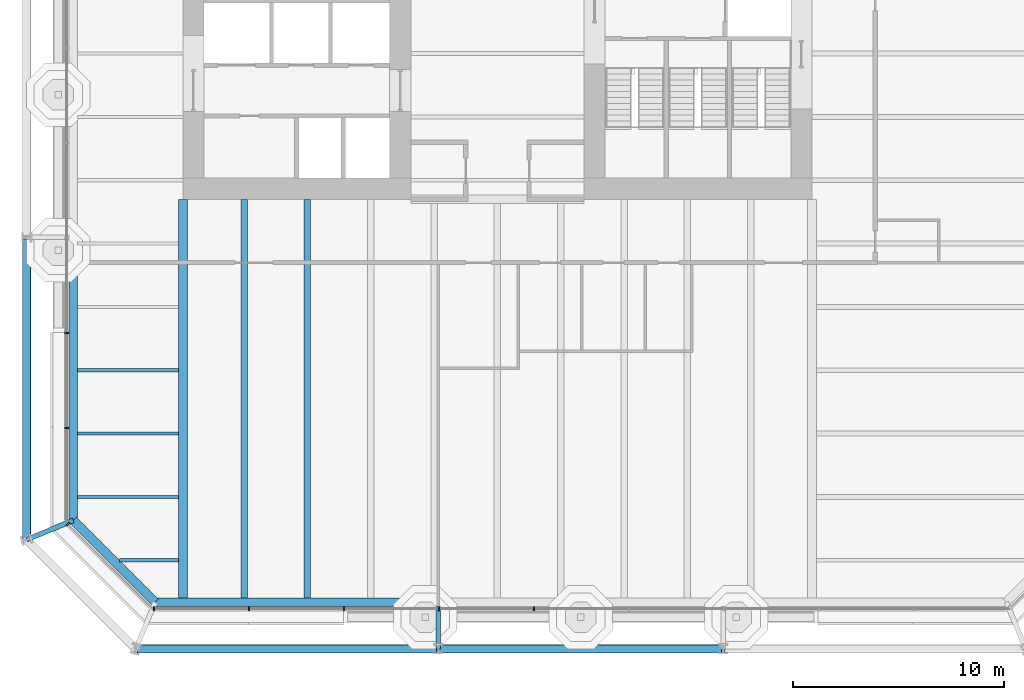
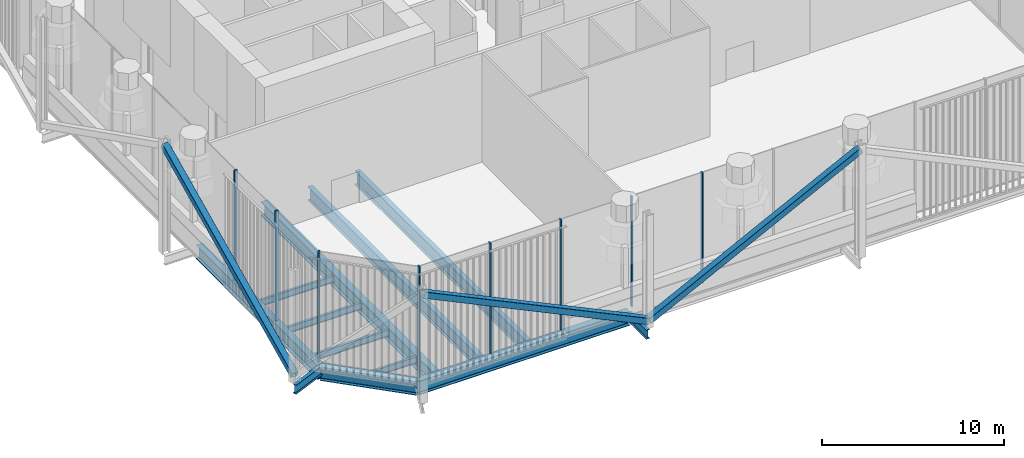
# One storey, part 2 of 18: 12 beams, 11 members, 3 elements without a shape of their own.
"""IFC4 building model written with IfcOpenShell, lengths in metres."""

import ifcopenshell
import ifcopenshell.guid

model = None  # the IFC model being written
_history = None  # IfcOwnerHistory: only IFC2X3 demands one
_inside = {}  # id of a spatial element -> (the spatial element, [elements in it])
_under = {}  # id of a project, library or spatial element -> (it, [spatial elements below it])
_declared = {}  # id of a project -> (the project, [libraries it declares])
_typed = {}  # id of a type object -> (the type object, [elements of that type])
_made_of = {}  # id of a material, layer set ... -> (it, [elements and type objects made of it])


def new_model(schema):
    """Start an empty IFC model of exactly this schema.

    Asked for "IFC4X3", IfcOpenShell would pick the latest addendum, in which some entities
    have other attributes; the version numbers below select the first issue.
    IFC2X3 requires an IfcOwnerHistory on every rooted entity: one is made here for all.
    """
    global model, _history
    if schema == "IFC4X3":
        model = ifcopenshell.file(schema_version=(4, 3, 0, 0))
    else:
        model = ifcopenshell.file(schema=schema)
    _inside.clear()
    _under.clear()
    _declared.clear()
    _typed.clear()
    _made_of.clear()
    _history = None
    if model.schema == "IFC2X3":
        org = make("IfcOrganization", Name="unknown")
        user = make(
            "IfcPersonAndOrganization",
            ThePerson=make("IfcPerson", FamilyName="unknown"),
            TheOrganization=org,
        )
        app = make(
            "IfcApplication",
            ApplicationDeveloper=org,
            Version="unknown",
            ApplicationFullName="unknown",
            ApplicationIdentifier="unknown",
        )
        _history = make(
            "IfcOwnerHistory",
            OwningUser=user,
            OwningApplication=app,
            ChangeAction="ADDED",
            CreationDate=0,
        )
    return model


def make(cls, **values):
    """One entity of the class cls with the attributes given. An attribute that is None is left unset."""
    return model.create_entity(
        cls, **{name: value for name, value in values.items() if value is not None}
    )


def rooted(cls, **values):
    """An entity with a GlobalId (a new one), such as an element, a storey or a relation."""
    return make(cls, GlobalId=ifcopenshell.guid.new(), OwnerHistory=_history, **values)


def si_unit(unit_type, name, prefix=None):
    """IfcSIUnit, for example si_unit("LENGTHUNIT", "METRE", prefix="MILLI")."""
    return make("IfcSIUnit", UnitType=unit_type, Prefix=prefix, Name=name)


def assignment(units):
    """IfcUnitAssignment: the units of a project."""
    return None if units is None else make("IfcUnitAssignment", Units=units)


def point(xyz):
    """IfcCartesianPoint."""
    return None if xyz is None else make("IfcCartesianPoint", Coordinates=xyz)


def direction(xyz):
    """IfcDirection."""
    return None if xyz is None else make("IfcDirection", DirectionRatios=xyz)


def frame(location, z_axis=None, x_axis=None):
    """IfcAxis2Placement3D, a coordinate frame: its origin and axes. An axis left out is left unset."""
    return make(
        "IfcAxis2Placement3D",
        Location=point(location),
        Axis=direction(z_axis),
        RefDirection=direction(x_axis),
    )


def frame_2d(location, x_axis=None):
    """IfcAxis2Placement2D, a coordinate frame in the plane: its origin and x axis."""
    return make(
        "IfcAxis2Placement2D", Location=point(location), RefDirection=direction(x_axis)
    )


def origin():
    """The frame at (0, 0, 0) with its axes left unset."""
    return frame((0.0, 0.0, 0.0))


def origin_2d():
    """The frame at (0, 0) in the plane with its x axis left unset."""
    return frame_2d((0.0, 0.0))


def place(relative_to, where):
    """IfcLocalPlacement: puts the frame where relative to a parent placement (None: the world)."""
    return make(
        "IfcLocalPlacement", PlacementRelTo=relative_to, RelativePlacement=where
    )


def context(
    kind, dimensions, precision=None, world=None, true_north=None, identifier=None
):
    """IfcGeometricRepresentationContext, for example the 3D "Model" context."""
    return make(
        "IfcGeometricRepresentationContext",
        ContextIdentifier=identifier,
        ContextType=kind,
        CoordinateSpaceDimension=dimensions,
        Precision=precision,
        WorldCoordinateSystem=world,
        TrueNorth=true_north,
    )


def subcontext(parent, identifier, kind, view, scale=None):
    """IfcGeometricRepresentationSubContext, for example "Body" below "Model"."""
    return make(
        "IfcGeometricRepresentationSubContext",
        ContextIdentifier=identifier,
        ContextType=kind,
        ParentContext=parent,
        TargetScale=scale,
        TargetView=view,
    )


def project(units=None, contexts=None):
    """IfcProject with its units and contexts."""
    return rooted(
        "IfcProject",
        Name="project",
        RepresentationContexts=contexts,
        UnitsInContext=assignment(units),
    )


def spatial(cls, under=None, at=None, **own):
    """A site, building, storey or space (cls), placed at a placement, below another one or the project."""
    s = rooted(cls, ObjectPlacement=at, **own)
    if under is not None:
        _under.setdefault(under.id(), (under, []))[1].append(s)
    return s


def profile(cls, at=None, kind="AREA", **sizes):
    """A parametric profile (cls). Its sizes go by their IFC names, for example OverallWidth=200.0."""
    return make(cls, ProfileType=kind, Position=at, **sizes)


def rectangle(**sizes):
    """IfcRectangleProfileDef."""
    return profile("IfcRectangleProfileDef", **sizes)


def hollow_rectangle(**sizes):
    """IfcRectangleHollowProfileDef."""
    return profile("IfcRectangleHollowProfileDef", **sizes)


def i_section(**sizes):
    """IfcIShapeProfileDef."""
    return profile("IfcIShapeProfileDef", **sizes)


def extrude(swept, where, along, depth):
    """IfcExtrudedAreaSolid: the profile swept, set in the frame where, extruded along a direction by depth."""
    return make(
        "IfcExtrudedAreaSolid",
        SweptArea=swept,
        Position=where,
        ExtrudedDirection=direction(along),
        Depth=depth,
    )


def shape(context_of_items, identifier, shape_type, items):
    """IfcShapeRepresentation: the items that make up one representation, for example the "Body"."""
    return make(
        "IfcShapeRepresentation",
        ContextOfItems=context_of_items,
        RepresentationIdentifier=identifier,
        RepresentationType=shape_type,
        Items=items,
    )


def material(Name=None, Category=None):
    """IfcMaterial."""
    return make("IfcMaterial", Name=Name, Category=Category)


def layer(
    of_material, thickness, ventilated=None, Name=None, Category=None, Priority=None
):
    """IfcMaterialLayer: one layer of a wall or slab, of a material (None: an air gap)."""
    return make(
        "IfcMaterialLayer",
        Material=of_material,
        LayerThickness=thickness,
        IsVentilated=ventilated,
        Name=Name,
        Category=Category,
        Priority=Priority,
    )


def layer_set(layers, Name=None):
    """IfcMaterialLayerSet."""
    return make("IfcMaterialLayerSet", MaterialLayers=layers, LayerSetName=Name)


def material_profile(
    of_material, cross_section, Name=None, Category=None, Priority=None
):
    """IfcMaterialProfile: a cross section and its material."""
    return make(
        "IfcMaterialProfile",
        Name=Name,
        Material=of_material,
        Profile=cross_section,
        Priority=Priority,
        Category=Category,
    )


def profile_set(profiles, Name=None, composite=None):
    """IfcMaterialProfileSet."""
    return make(
        "IfcMaterialProfileSet",
        Name=Name,
        MaterialProfiles=profiles,
        CompositeProfile=composite,
    )


def made_of(thing, what):
    """Note that an element or type object is made of a material, layer set ...; save() writes the relation."""
    if what is not None:
        _made_of.setdefault(what.id(), (what, []))[1].append(thing)
    return thing


def type_object(cls, material=None, **own):
    """A type object (cls), such as IfcWallType, which elements share."""
    return made_of(rooted(cls, **own), material)


def element(
    cls,
    number,
    at=None,
    inside=None,
    cuts=None,
    type_object=None,
    material=None,
    context=None,
    identifier="Body",
    shape_type=None,
    held_by="IfcProductDefinitionShape",
    body=None,
    shapes=None,
    **own,
):
    """One element of the class cls, such as IfcWall. Its Tag is "e" and its number.

    at: its placement. inside: the storey or other place that contains it. cuts: it is an
    opening in that element (IfcRelVoidsElement). A single representation is given by context,
    identifier, shape_type and body (its items); several are given by shapes. held_by: the class
    of the entity that holds the representations. save() writes the other relations.
    """
    e = rooted(cls, Tag="e%d" % number, ObjectPlacement=at, **own)
    if body is not None:
        shapes = [shape(context, identifier, shape_type, body)]
    if shapes is not None:
        e.Representation = make(held_by, Representations=shapes)
    if inside is not None:
        _inside.setdefault(inside.id(), (inside, []))[1].append(e)
    if cuts is not None:
        rooted(
            "IfcRelVoidsElement", RelatingBuildingElement=cuts, RelatedOpeningElement=e
        )
    if type_object is not None:
        _typed.setdefault(type_object.id(), (type_object, []))[1].append(e)
    return made_of(e, material)


def aggregate(whole, parts):
    """IfcRelAggregates: a whole, such as a stair, and the parts it consists of."""
    return rooted("IfcRelAggregates", RelatingObject=whole, RelatedObjects=parts)


def save(model, path):
    """Write the relations noted so far, then the file.

    IfcRelAggregates (storeys below a building ...), IfcRelContainedInSpatialStructure (elements
    in a storey), IfcRelDefinesByType, IfcRelAssociatesMaterial and IfcRelDeclares: one each for
    every whole, place, type object, material and project.
    """
    for whole, parts in _under.values():
        aggregate(whole, parts)
    for where, things in _inside.values():
        rooted(
            "IfcRelContainedInSpatialStructure",
            RelatedElements=things,
            RelatingStructure=where,
        )
    for kind, things in _typed.values():
        rooted("IfcRelDefinesByType", RelatedObjects=things, RelatingType=kind)
    for what, things in _made_of.values():
        rooted("IfcRelAssociatesMaterial", RelatedObjects=things, RelatingMaterial=what)
    for by, libraries in _declared.values():
        rooted("IfcRelDeclares", RelatingContext=by, RelatedDefinitions=libraries)
    model.write(path)


model = new_model("IFC4")

# Units and contexts
model_context = context("Model", 3, precision=1e-05, world=origin(), true_north=direction((0.0, 1.0)))
body_context = subcontext(model_context, "Body", "Model", "MODEL_VIEW")
ifc_project = project(units=[si_unit("LENGTHUNIT", "METRE"), si_unit("AREAUNIT", "SQUARE_METRE"), si_unit("VOLUMEUNIT", "CUBIC_METRE"), si_unit("PLANEANGLEUNIT", "RADIAN"), si_unit("MASSUNIT", "GRAM", prefix="KILO")], contexts=[model_context])

# Site, building, storey
site_placement = place(None, origin())
site = spatial("IfcSite", under=ifc_project, at=site_placement, CompositionType="ELEMENT")
building_placement = place(site_placement, origin())
building = spatial("IfcBuilding", under=site, at=building_placement, Name="Millrace Tower", CompositionType="ELEMENT")
storey_placement = place(building_placement, frame((0.0, 0.0, 112.800048828125)))
storey = spatial("IfcBuildingStorey", under=building, at=storey_placement, Name="L25", CompositionType="ELEMENT", Elevation=112.800048828125)

# Curtain wall, member
ifc_material_1 = material(Name="Aluminium and glass", Category="aluminium")
ifc_layer = layer(ifc_material_1, 0.199951171875)
ifc_layer_set = layer_set([ifc_layer], Name="Aluminium and glass")
curtain_wall_type = type_object("IfcCurtainWallType", Name="CW-4 sky garden winter glazing", PredefinedType="NOTDEFINED", material=ifc_layer_set)
placement = place(storey_placement, origin())
curtain_wall_1 = element("IfcCurtainWall", 1, at=placement, inside=storey, type_object=curtain_wall_type, Name="Curtain wall B-F01 L25", PredefinedType="NOTDEFINED")
ifc_material_2 = material(Name="Aluminium", Category="aluminium")
ifc_material_profile_1 = material_profile(ifc_material_2, rectangle(XDim=0.080078125, YDim=0.199951171875, at=origin_2d()))
ifc_profile_set_1 = profile_set([ifc_material_profile_1], Name="Aluminium")
member_type_1 = type_object("IfcMemberType", Name="CW-4 sky garden winter glazing mullion", PredefinedType="MULLION", material=ifc_profile_set_1)
member_1_placement = place(storey_placement, frame((-20.342529296875, -25.299072265625, 0.179931640625), z_axis=(0.0, 0.0, 1.0), x_axis=(0.707106781187, -0.707106781187, 0.0)))
member_1 = element("IfcMember", 2, at=member_1_placement, type_object=member_type_1, Name="CW4 mullion B-F01.1", PredefinedType="MULLION", context=body_context, shape_type="SweptSolid", body=[
    extrude(rectangle(XDim=0.080078125, YDim=0.199951171875, at=origin_2d()), origin(), (0.0, 0.0, 1.0), 7.419921875),
])
aggregate(curtain_wall_1, [member_1])

# Curtain wall, members
curtain_wall_2 = element("IfcCurtainWall", 3, at=placement, inside=storey, type_object=curtain_wall_type, Name="Curtain wall B-F02 L25", PredefinedType="NOTDEFINED")
member_2_placement = place(storey_placement, frame((-16.260009765625, -29.300048828125, 0.179931640625), z_axis=(0.0, 0.0, 1.0), x_axis=(1.0, 0.0, 0.0)))
member_2 = element("IfcMember", 4, at=member_2_placement, type_object=member_type_1, Name="CW4 mullion B-F02.1", PredefinedType="MULLION", context=body_context, shape_type="SweptSolid", body=[
    extrude(rectangle(XDim=0.080078125, YDim=0.199951171875, at=origin_2d()), origin(), (0.0, 0.0, 1.0), 7.419921875),
])
member_3_placement = place(storey_placement, frame((-11.760009765625, -29.300048828125, 0.179931640625), z_axis=(0.0, 0.0, 1.0), x_axis=(1.0, 0.0, 0.0)))
member_3 = element("IfcMember", 5, at=member_3_placement, type_object=member_type_1, Name="CW4 mullion B-F02.2", PredefinedType="MULLION", context=body_context, shape_type="SweptSolid", body=[
    extrude(rectangle(XDim=0.080078125, YDim=0.199951171875, at=origin_2d()), origin(), (0.0, 0.0, 1.0), 7.419921875),
])
member_4_placement = place(storey_placement, frame((-7.260009765625, -29.300048828125, 0.179931640625), z_axis=(0.0, 0.0, 1.0), x_axis=(1.0, 0.0, 0.0)))
member_4 = element("IfcMember", 6, at=member_4_placement, type_object=member_type_1, Name="CW4 mullion B-F02.3", PredefinedType="MULLION", context=body_context, shape_type="SweptSolid", body=[
    extrude(rectangle(XDim=0.080078125, YDim=0.199951171875, at=origin_2d()), origin(), (0.0, 0.0, 1.0), 7.419921875),
])
member_5_placement = place(storey_placement, frame((-2.760009765625, -29.300048828125, 0.179931640625), z_axis=(0.0, 0.0, 1.0), x_axis=(1.0, 0.0, 0.0)))
member_5 = element("IfcMember", 7, at=member_5_placement, type_object=member_type_1, Name="CW4 mullion B-F02.4", PredefinedType="MULLION", context=body_context, shape_type="SweptSolid", body=[
    extrude(rectangle(XDim=0.080078125, YDim=0.199951171875, at=origin_2d()), origin(), (0.0, 0.0, 1.0), 7.419921875),
])
member_6_placement = place(storey_placement, frame((1.739990234375, -29.300048828125, 0.179931640625), z_axis=(0.0, 0.0, 1.0), x_axis=(1.0, 0.0, 0.0)))
member_6 = element("IfcMember", 8, at=member_6_placement, type_object=member_type_1, Name="CW4 mullion B-F02.5", PredefinedType="MULLION", context=body_context, shape_type="SweptSolid", body=[
    extrude(rectangle(XDim=0.080078125, YDim=0.199951171875, at=origin_2d()), origin(), (0.0, 0.0, 1.0), 7.419921875),
])
aggregate(curtain_wall_2, [member_2, member_3, member_4, member_5, member_6])

curtain_wall_3 = element("IfcCurtainWall", 9, at=placement, inside=storey, type_object=curtain_wall_type, Name="Curtain wall B-F08 L25", PredefinedType="NOTDEFINED")
member_7_placement = place(storey_placement, frame((-20.39990234375, -16.239990234375, 0.179931640625), z_axis=(0.0, 0.0, 1.0), x_axis=(0.0, -1.0, 0.0)))
member_7 = element("IfcMember", 10, at=member_7_placement, type_object=member_type_1, Name="CW4 mullion B-F08.8", PredefinedType="MULLION", context=body_context, shape_type="SweptSolid", body=[
    extrude(rectangle(XDim=0.080078125, YDim=0.199951171875, at=origin_2d()), origin(), (0.0, 0.0, 1.0), 7.419921875),
])
member_8_placement = place(storey_placement, frame((-20.39990234375, -20.739990234375, 0.179931640625), z_axis=(0.0, 0.0, 1.0), x_axis=(0.0, -1.0, 0.0)))
member_8 = element("IfcMember", 11, at=member_8_placement, type_object=member_type_1, Name="CW4 mullion B-F08.9", PredefinedType="MULLION", context=body_context, shape_type="SweptSolid", body=[
    extrude(rectangle(XDim=0.080078125, YDim=0.199951171875, at=origin_2d()), origin(), (0.0, 0.0, 1.0), 7.419921875),
])
aggregate(curtain_wall_3, [member_7, member_8])

# Members
ifc_material_3 = material(Name="Steel ASTM A500 Grade C", Category="steel")
ifc_material_profile_2 = material_profile(ifc_material_3, hollow_rectangle(XDim=0.406494140625, YDim=0.406494140625, WallThickness=0.0126953125, InnerFilletRadius=0.00634765625, OuterFilletRadius=0.01904296875, at=origin_2d()))
ifc_profile_set_2 = profile_set([ifc_material_profile_2], Name="Steel ASTM A500 Grade C")
member_type_2 = type_object("IfcMemberType", Name="Exoskeleton brace HSS16x16x1/2", PredefinedType="BRACE", material=ifc_profile_set_2)
member_9_placement = place(storey_placement, frame((-2.800048828125, -31.199951171875, 0.39990234375), z_axis=(-0.90342227316, 0.0, 0.428751905371), x_axis=(0.0, -1.0, 0.0)))
element("IfcMember", 12, at=member_9_placement, inside=storey, type_object=member_type_2, Name="BRC-B-L25-02", PredefinedType="BRACE", context=body_context, shape_type="SweptSolid", body=[
    extrude(hollow_rectangle(XDim=0.406494140625, YDim=0.406494140625, WallThickness=0.0126953125, InnerFilletRadius=0.00634765625, OuterFilletRadius=0.01904296875, at=origin_2d()), origin(), (0.0, 0.0, 1.0), 15.860107421875),
])
member_10_placement = place(storey_placement, frame((-2.800048828125, -31.199951171875, 0.39990234375), z_axis=(0.893098867308, 0.0, 0.449860437484), x_axis=(0.0, 1.0, 0.0)))
element("IfcMember", 13, at=member_10_placement, inside=storey, type_object=member_type_2, Name="BRC-B-L25-03", PredefinedType="BRACE", context=body_context, shape_type="SweptSolid", body=[
    extrude(hollow_rectangle(XDim=0.406494140625, YDim=0.406494140625, WallThickness=0.0126953125, InnerFilletRadius=0.00634765625, OuterFilletRadius=0.01904296875, at=origin_2d()), origin(), (0.0, 0.0, 1.0), 15.115966796875),
])
member_11_placement = place(storey_placement, frame((-22.300048828125, -26.0283203125, 0.39990234375), z_axis=(0.0, 0.90342227316, 0.428751905371), x_axis=(-1.0, 0.0, 0.0)))
element("IfcMember", 14, at=member_11_placement, inside=storey, type_object=member_type_2, Name="BRC-B-L25-16", PredefinedType="BRACE", context=body_context, shape_type="SweptSolid", body=[
    extrude(hollow_rectangle(XDim=0.406494140625, YDim=0.406494140625, WallThickness=0.0126953125, InnerFilletRadius=0.00634765625, OuterFilletRadius=0.01904296875, at=origin_2d()), origin(), (0.0, 0.0, 1.0), 15.860107421875),
])

# Beams
ifc_material_4 = material(Name="Steel ASTM A992 Grade 50", Category="steel")
ifc_material_profile_3 = material_profile(ifc_material_4, i_section(OverallWidth=0.15234375, OverallDepth=0.449462890625, WebThickness=0.007568359375, FlangeThickness=0.0107421875, FilletRadius=0.01025390625, at=origin_2d()))
ifc_profile_set_3 = profile_set([ifc_material_profile_3], Name="Steel ASTM A992 Grade 50")
beam_type_1 = type_object("IfcBeamType", Name="Floor beam W18x35", PredefinedType="JOIST", material=ifc_profile_set_3)
for number, where, z_axis, x_axis, name in (
    (15, (-19.880859375, -24.0, -0.474853515625), (1.0, 0.0, 0.0), (0.0, 1.0, 0.0), "BM-B-L25-S1-S003"),
    (16, (-19.880859375, -21.0, -0.474853515625), (1.0, 0.0, 0.0), (0.0, 1.0, 0.0), "BM-B-L25-S1-S005"),
    (17, (-19.880859375, -18.0, -0.474853515625), (1.0, 0.0, 0.0), (0.0, 1.0, 0.0), "BM-B-L25-S1-S007"),
):
    element("IfcBeam", number, at=place(storey_placement, frame(where, z_axis=z_axis, x_axis=x_axis)), inside=storey, type_object=beam_type_1, Name=name, PredefinedType="JOIST", context=body_context, shape_type="SweptSolid", body=[
        extrude(i_section(OverallWidth=0.15234375, OverallDepth=0.449462890625, WebThickness=0.007568359375, FlangeThickness=0.0107421875, FilletRadius=0.01025390625, at=origin_2d()), origin(), (0.0, 0.0, 1.0), 4.77001953125),
    ])
beam_1_placement = place(storey_placement, frame((-17.895263671875, -27.0, -0.474853515625), z_axis=(1.0, 0.0, 0.0), x_axis=(0.0, 1.0, 0.0)))
element("IfcBeam", 18, at=beam_1_placement, inside=storey, type_object=beam_type_1, Name="BM-B-L25-S1-S001", PredefinedType="JOIST", context=body_context, shape_type="SweptSolid", body=[
    extrude(i_section(OverallWidth=0.15234375, OverallDepth=0.449462890625, WebThickness=0.007568359375, FlangeThickness=0.0107421875, FilletRadius=0.01025390625, at=origin_2d()), origin(), (0.0, 0.0, 1.0), 2.784423828125),
])
ifc_material_5 = material(Name="Steel ASTM A992 Grade 50", Category="steel")
ifc_material_profile_4 = material_profile(ifc_material_5, i_section(OverallWidth=0.307373046875, OverallDepth=0.927001953125, WebThickness=0.01953125, FlangeThickness=0.031982421875, FilletRadius=0.01904296875, at=origin_2d()))
ifc_profile_set_4 = profile_set([ifc_material_profile_4], Name="Steel ASTM A992 Grade 50")
beam_type_2 = type_object("IfcBeamType", Name="Floor beam W36x194", PredefinedType="JOIST", material=ifc_profile_set_4)
for number, where, z_axis, x_axis, name in (
    (19, (-12.0, -28.781005859375, -0.713623046875), (0.0, 1.0, 0.0), (-1.0, 0.0, 0.0), "BM-B-L25-S1-S041"),
    (20, (-9.0, -28.781005859375, -0.713623046875), (0.0, 1.0, 0.0), (-1.0, 0.0, 0.0), "BM-B-L25-S1-S043"),
):
    element("IfcBeam", number, at=place(storey_placement, frame(where, z_axis=z_axis, x_axis=x_axis)), inside=storey, type_object=beam_type_2, Name=name, PredefinedType="JOIST", context=body_context, shape_type="SweptSolid", body=[
        extrude(i_section(OverallWidth=0.307373046875, OverallDepth=0.927001953125, WebThickness=0.01953125, FlangeThickness=0.031982421875, FilletRadius=0.01904296875, at=origin_2d()), origin(), (0.0, 0.0, 1.0), 18.881103515625),
    ])
ifc_material_6 = material(Name="Steel ASTM A992 Grade 50", Category="steel")
ifc_material_profile_5 = material_profile(ifc_material_6, i_section(OverallWidth=0.424072265625, OverallDepth=0.947509765625, WebThickness=0.02392578125, FlangeThickness=0.042724609375, FilletRadius=0.024169921875, at=origin_2d()))
ifc_profile_set_5 = profile_set([ifc_material_profile_5], Name="Steel ASTM A992 Grade 50")
beam_type_3 = type_object("IfcBeamType", Name="Girder medium span W36x302", PredefinedType="BEAM", material=ifc_profile_set_5)
beam_2_placement = place(storey_placement, frame((-14.89990234375, -28.781005859375, -0.723876953125), z_axis=(0.0, 1.0, 0.0), x_axis=(-1.0, 0.0, 0.0)))
element("IfcBeam", 21, at=beam_2_placement, inside=storey, type_object=beam_type_3, Name="BM-B-L25-S1-G059", PredefinedType="BEAM", context=body_context, shape_type="SweptSolid", body=[
    extrude(i_section(OverallWidth=0.424072265625, OverallDepth=0.947509765625, WebThickness=0.02392578125, FlangeThickness=0.042724609375, FilletRadius=0.024169921875, at=origin_2d()), origin(), (0.0, 0.0, 1.0), 18.881103515625),
])
ifc_material_7 = material(Name="Steel ASTM A992 Grade 50", Category="steel")
ifc_material_profile_6 = material_profile(ifc_material_7, i_section(OverallWidth=0.23046875, OverallDepth=0.6171875, WebThickness=0.01318359375, FlangeThickness=0.022216796875, FilletRadius=0.012939453125, at=origin_2d()))
ifc_profile_set_6 = profile_set([ifc_material_profile_6], Name="Steel ASTM A992 Grade 50")
beam_type_4 = type_object("IfcBeamType", Name="Link beam W24x94", PredefinedType="BEAM", material=ifc_profile_set_6)
beam_3_placement = place(storey_placement, frame((-20.09033203125, -25.11328125, -0.55859375), z_axis=(-0.923917312949, -0.382592209583, 0.0), x_axis=(0.382592209583, -0.923917312949, 0.0)))
element("IfcBeam", 22, at=beam_3_placement, inside=storey, type_object=beam_type_4, Name="LNK-B-L25-S1-01", PredefinedType="BEAM", context=body_context, shape_type="SweptSolid", body=[
    extrude(i_section(OverallWidth=0.23046875, OverallDepth=0.6171875, WebThickness=0.01318359375, FlangeThickness=0.022216796875, FilletRadius=0.012939453125, at=origin_2d()), origin(), (0.0, 0.0, 1.0), 2.3916015625),
])
beam_4_placement = place(storey_placement, frame((-2.800048828125, -29.199951171875, -0.55859375), z_axis=(0.0, -1.0, 0.0), x_axis=(1.0, 0.0, 0.0)))
element("IfcBeam", 23, at=beam_4_placement, inside=storey, type_object=beam_type_4, Name="LNK-B-L25-S1-15", PredefinedType="BEAM", context=body_context, shape_type="SweptSolid", body=[
    extrude(i_section(OverallWidth=0.23046875, OverallDepth=0.6171875, WebThickness=0.01318359375, FlangeThickness=0.022216796875, FilletRadius=0.012939453125, at=origin_2d()), origin(), (0.0, 0.0, 1.0), 2.0),
])
ifc_material_8 = material(Name="Steel ASTM A992 Grade 50", Category="steel")
ifc_material_profile_7 = material_profile(ifc_material_8, i_section(OverallWidth=0.419189453125, OverallDepth=0.927001953125, WebThickness=0.019287109375, FlangeThickness=0.031982421875, FilletRadius=0.024169921875, at=origin_2d()))
ifc_profile_set_7 = profile_set([ifc_material_profile_7], Name="Steel ASTM A992 Grade 50")
beam_type_5 = type_object("IfcBeamType", Name="Ring beam medium span W36x231", PredefinedType="SPANDREL", material=ifc_profile_set_7)
beam_5_placement = place(storey_placement, frame((-20.09033203125, -25.11328125, -0.713623046875), z_axis=(0.0, 1.0, 0.0), x_axis=(-1.0, 0.0, 0.0)))
element("IfcBeam", 24, at=beam_5_placement, inside=storey, type_object=beam_type_5, Name="RNG-B-L25-S1-01", PredefinedType="SPANDREL", context=body_context, shape_type="SweptSolid", body=[
    extrude(i_section(OverallWidth=0.419189453125, OverallDepth=0.927001953125, WebThickness=0.019287109375, FlangeThickness=0.031982421875, FilletRadius=0.024169921875, at=origin_2d()), origin(), (0.0, 0.0, 1.0), 13.413330078125),
])
beam_6_placement = place(storey_placement, frame((-2.800048828125, -28.990478515625, -0.713623046875), z_axis=(-1.0, 0.0, 0.0), x_axis=(0.0, -1.0, 0.0)))
element("IfcBeam", 25, at=beam_6_placement, inside=storey, type_object=beam_type_5, Name="RNG-B-L25-S1-15", PredefinedType="SPANDREL", context=body_context, shape_type="SweptSolid", body=[
    extrude(i_section(OverallWidth=0.419189453125, OverallDepth=0.927001953125, WebThickness=0.019287109375, FlangeThickness=0.031982421875, FilletRadius=0.024169921875, at=origin_2d()), origin(), (0.0, 0.0, 1.0), 13.4130859375),
])
ifc_material_9 = material(Name="Steel ASTM A992 Grade 50", Category="steel")
ifc_material_profile_8 = material_profile(ifc_material_9, i_section(OverallWidth=0.419189453125, OverallDepth=0.927001953125, WebThickness=0.019287109375, FlangeThickness=0.031982421875, FilletRadius=0.024169921875, at=origin_2d()))
ifc_profile_set_8 = profile_set([ifc_material_profile_8], Name="Steel ASTM A992 Grade 50")
beam_type_6 = type_object("IfcBeamType", Name="Ring beam short span W36x231", PredefinedType="SPANDREL", material=ifc_profile_set_8)
beam_7_placement = place(storey_placement, frame((-16.213134765625, -28.990478515625, -0.713623046875), z_axis=(-0.707106781187, 0.707106781187, 0.0), x_axis=(-0.707106781187, -0.707106781187, 0.0)))
element("IfcBeam", 26, at=beam_7_placement, inside=storey, type_object=beam_type_6, Name="RNG-B-L25-S1-16", PredefinedType="SPANDREL", context=body_context, shape_type="SweptSolid", body=[
    extrude(i_section(OverallWidth=0.419189453125, OverallDepth=0.927001953125, WebThickness=0.019287109375, FlangeThickness=0.031982421875, FilletRadius=0.024169921875, at=origin_2d()), origin(), (0.0, 0.0, 1.0), 5.483154296875),
])

save(model, "model.ifc")
